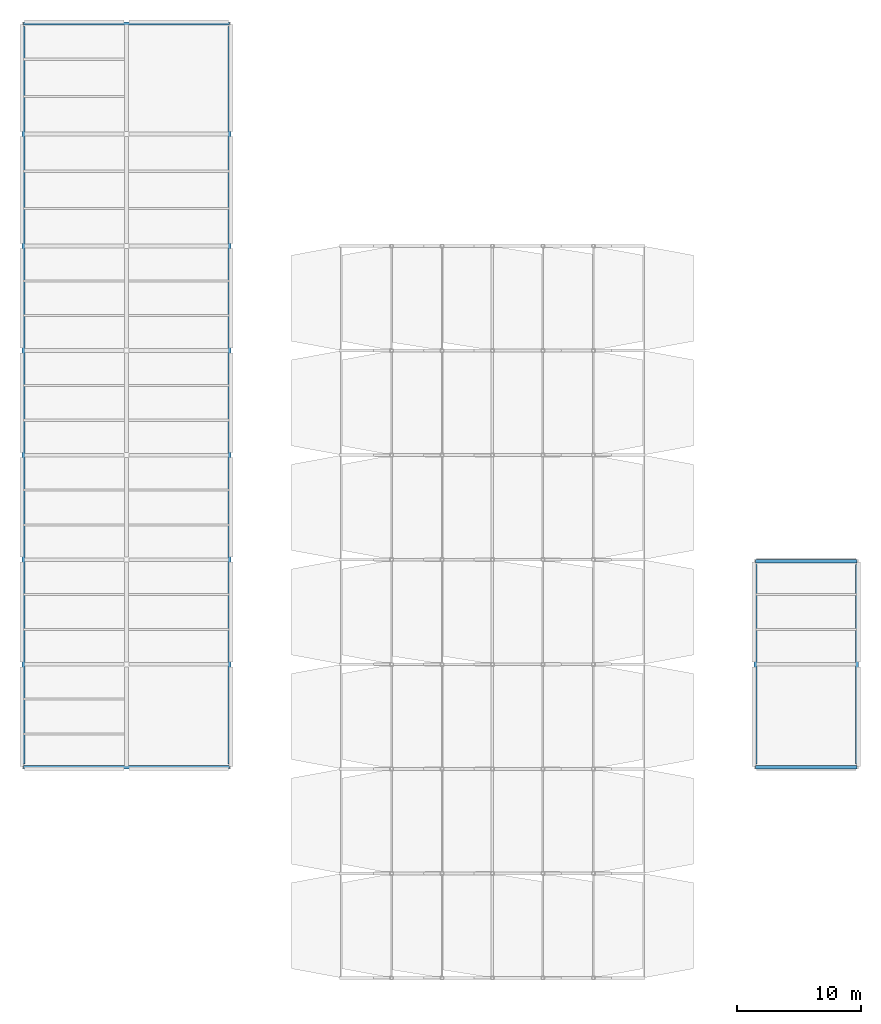
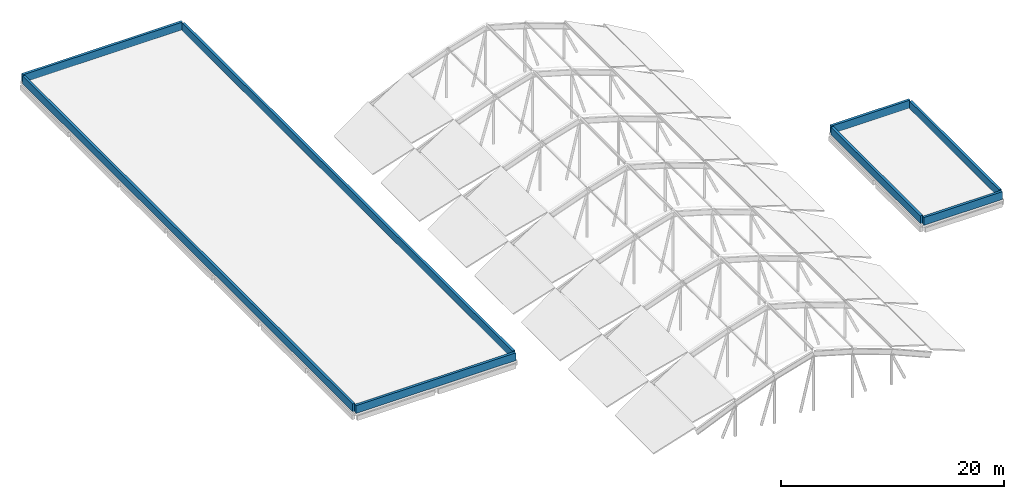
# One storey, part 21 of 22: 8 walls.
"""IFC4 building model written with IfcOpenShell, lengths in metres."""

from ifc_helpers import new_model, si_unit, direction, frame, frame_2d, origin, place, context, subcontext, project, spatial, rectangle, extrude, material, layer, layer_set, type_object, element, save


model = new_model("IFC4")

# Units and contexts
model_context = context("Model", 3, precision=1e-05, world=origin(), true_north=direction((0.0, 1.0)))
body_context = subcontext(model_context, "Body", "Model", "MODEL_VIEW")
ifc_project = project(units=[si_unit("LENGTHUNIT", "METRE"), si_unit("AREAUNIT", "SQUARE_METRE"), si_unit("VOLUMEUNIT", "CUBIC_METRE"), si_unit("PLANEANGLEUNIT", "RADIAN"), si_unit("MASSUNIT", "GRAM", prefix="KILO")], contexts=[model_context])

# Site, building, storey
site_placement = place(None, origin())
site = spatial("IfcSite", under=ifc_project, at=site_placement, CompositionType="ELEMENT")
building_placement = place(site_placement, origin())
building = spatial("IfcBuilding", under=site, at=building_placement, Name="Vireocrest Preparatory School", CompositionType="ELEMENT")
storey_placement = place(building_placement, frame((0.0, 0.0, 25.800048828125)))
storey = spatial("IfcBuildingStorey", under=building, at=storey_placement, Name="RF", CompositionType="ELEMENT", Elevation=25.800048828125)

# Walls
ifc_material = material(Name="Precast white concrete 40 MPa", Category="concrete")
ifc_layer = layer(ifc_material, 0.260009765625)
ifc_layer_set = layer_set([ifc_layer], Name="Precast white concrete 40 MPa")
wall_type = type_object("IfcWallType", Name="Insulated Roof Parapet Wall 260", PredefinedType="PARAPET", material=ifc_layer_set)
for number, where, z_axis, x_axis, name in (
    (1, (42.1298828125, 43.929931640625, 0.0), (0.0, 0.0, 1.0), (1.0, 0.0, 0.0), "Roof Parapet W09 RF_WEST_BAR_ROOF-38"),
    (2, (42.1298828125, 103.669921875, 0.0), (0.0, 0.0, 1.0), (1.0, 0.0, 0.0), "Roof Parapet W09 RF_WEST_BAR_ROOF-39"),
):
    element("IfcWall", number, at=place(storey_placement, frame(where, z_axis=z_axis, x_axis=x_axis)), inside=storey, type_object=wall_type, Name=name, PredefinedType="PARAPET", context=body_context, shape_type="SweptSolid", body=[
        extrude(rectangle(XDim=16.5400390625, YDim=0.260009765625, at=frame_2d((8.27001953125, 0.0))), origin(), (0.0, 0.0, 1.0), 0.849853515625),
    ])
for number, where, z_axis, x_axis, name in (
    (3, (42.1298828125, 44.18994140625, 0.0), (0.0, 0.0, 1.0), (0.0, 1.0, 0.0), "Roof Parapet W09 RF_WEST_BAR_ROOF-40"),
    (4, (58.669921875, 44.18994140625, 0.0), (0.0, 0.0, 1.0), (0.0, 1.0, 0.0), "Roof Parapet W09 RF_WEST_BAR_ROOF-41"),
):
    element("IfcWall", number, at=place(storey_placement, frame(where, z_axis=z_axis, x_axis=x_axis)), inside=storey, type_object=wall_type, Name=name, PredefinedType="PARAPET", context=body_context, shape_type="SweptSolid", body=[
        extrude(rectangle(XDim=59.219970703125, YDim=0.260009765625, at=frame_2d((29.60986328125, 0.0))), origin(), (0.0, 0.0, 1.0), 0.849853515625),
    ])
for number, where, z_axis, x_axis, name in (
    (5, (100.929931640625, 43.929931640625, 0.0), (0.0, 0.0, 1.0), (1.0, 0.0, 0.0), "Roof Parapet W09 RF_EAST_CORE_ROOF-42"),
    (6, (100.929931640625, 60.469970703125, 0.0), (0.0, 0.0, 1.0), (1.0, 0.0, 0.0), "Roof Parapet W09 RF_EAST_CORE_ROOF-43"),
):
    element("IfcWall", number, at=place(storey_placement, frame(where, z_axis=z_axis, x_axis=x_axis)), inside=storey, type_object=wall_type, Name=name, PredefinedType="PARAPET", context=body_context, shape_type="SweptSolid", body=[
        extrude(rectangle(XDim=8.14013671875, YDim=0.260009765625, at=frame_2d((4.070068359375, 0.0))), origin(), (0.0, 0.0, 1.0), 0.849853515625),
    ])
for number, where, z_axis, x_axis, name in (
    (7, (100.929931640625, 44.18994140625, 0.0), (0.0, 0.0, 1.0), (0.0, 1.0, 0.0), "Roof Parapet W09 RF_EAST_CORE_ROOF-44"),
    (8, (109.070068359375, 44.18994140625, 0.0), (0.0, 0.0, 1.0), (0.0, 1.0, 0.0), "Roof Parapet W09 RF_EAST_CORE_ROOF-45"),
):
    element("IfcWall", number, at=place(storey_placement, frame(where, z_axis=z_axis, x_axis=x_axis)), inside=storey, type_object=wall_type, Name=name, PredefinedType="PARAPET", context=body_context, shape_type="SweptSolid", body=[
        extrude(rectangle(XDim=16.02001953125, YDim=0.260009765625, at=frame_2d((8.010009765625, 0.0))), origin(), (0.0, 0.0, 1.0), 0.849853515625),
    ])

save(model, "model.ifc")
